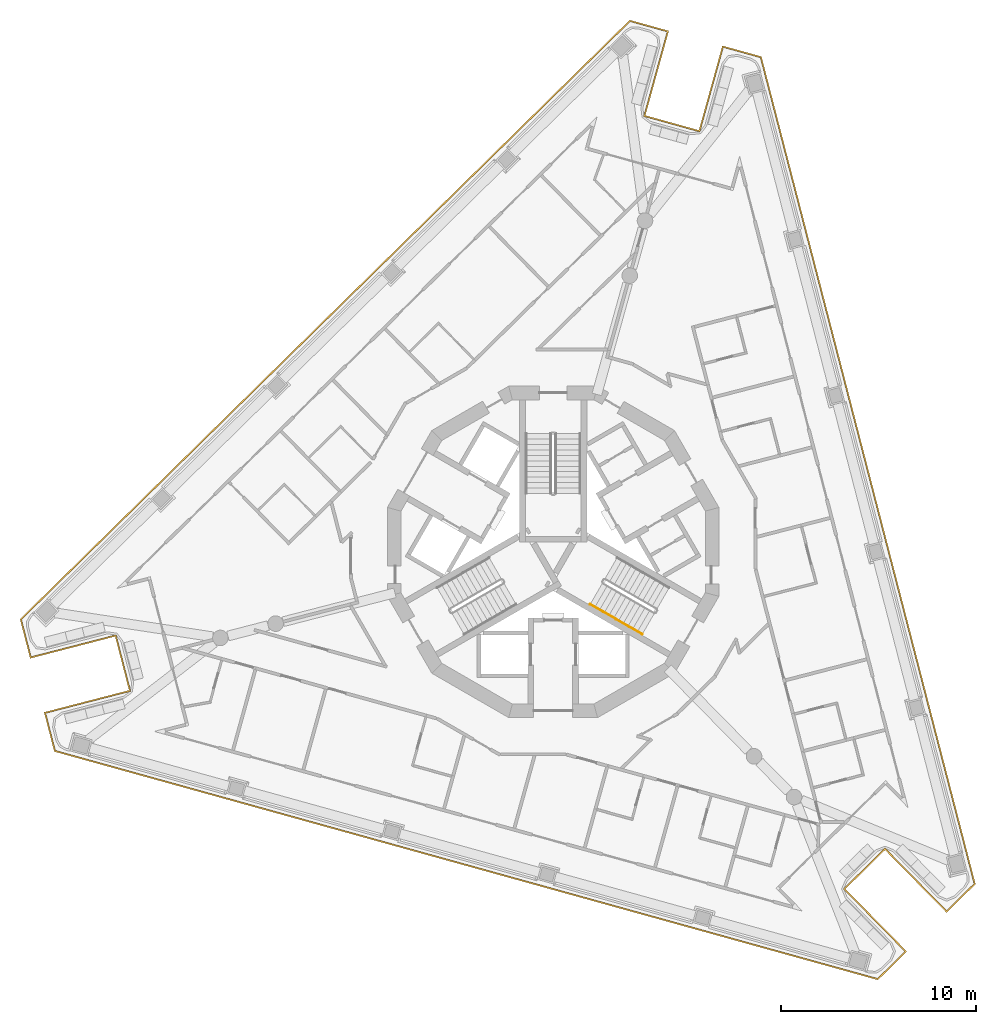
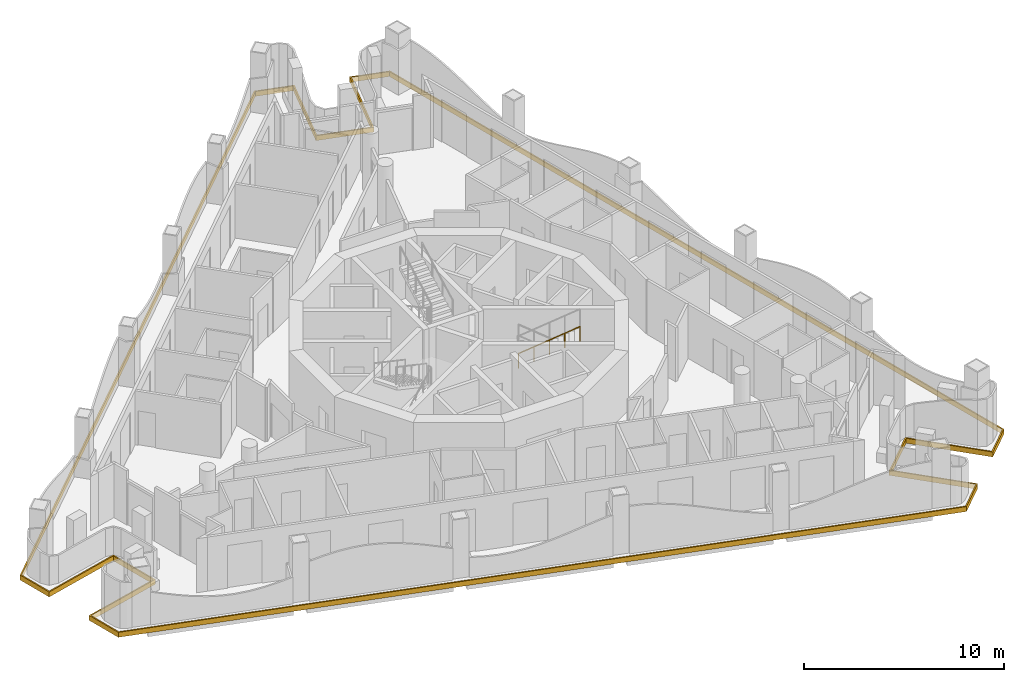
# One storey, part 11 of 14: 2 railings, 1 covering.
"""IFC4 building model written with IfcOpenShell, lengths in metres."""

import ifcopenshell
import ifcopenshell.guid

model = None  # the IFC model being written
_history = None  # IfcOwnerHistory: only IFC2X3 demands one
_inside = {}  # id of a spatial element -> (the spatial element, [elements in it])
_under = {}  # id of a project, library or spatial element -> (it, [spatial elements below it])
_declared = {}  # id of a project -> (the project, [libraries it declares])
_typed = {}  # id of a type object -> (the type object, [elements of that type])
_made_of = {}  # id of a material, layer set ... -> (it, [elements and type objects made of it])


def new_model(schema):
    """Start an empty IFC model of exactly this schema.

    Asked for "IFC4X3", IfcOpenShell would pick the latest addendum, in which some entities
    have other attributes; the version numbers below select the first issue.
    IFC2X3 requires an IfcOwnerHistory on every rooted entity: one is made here for all.
    """
    global model, _history
    if schema == "IFC4X3":
        model = ifcopenshell.file(schema_version=(4, 3, 0, 0))
    else:
        model = ifcopenshell.file(schema=schema)
    _inside.clear()
    _under.clear()
    _declared.clear()
    _typed.clear()
    _made_of.clear()
    _history = None
    if model.schema == "IFC2X3":
        org = make("IfcOrganization", Name="unknown")
        user = make(
            "IfcPersonAndOrganization",
            ThePerson=make("IfcPerson", FamilyName="unknown"),
            TheOrganization=org,
        )
        app = make(
            "IfcApplication",
            ApplicationDeveloper=org,
            Version="unknown",
            ApplicationFullName="unknown",
            ApplicationIdentifier="unknown",
        )
        _history = make(
            "IfcOwnerHistory",
            OwningUser=user,
            OwningApplication=app,
            ChangeAction="ADDED",
            CreationDate=0,
        )
    return model


def make(cls, **values):
    """One entity of the class cls with the attributes given. An attribute that is None is left unset."""
    return model.create_entity(
        cls, **{name: value for name, value in values.items() if value is not None}
    )


def rooted(cls, **values):
    """An entity with a GlobalId (a new one), such as an element, a storey or a relation."""
    return make(cls, GlobalId=ifcopenshell.guid.new(), OwnerHistory=_history, **values)


def si_unit(unit_type, name, prefix=None):
    """IfcSIUnit, for example si_unit("LENGTHUNIT", "METRE", prefix="MILLI")."""
    return make("IfcSIUnit", UnitType=unit_type, Prefix=prefix, Name=name)


def assignment(units):
    """IfcUnitAssignment: the units of a project."""
    return None if units is None else make("IfcUnitAssignment", Units=units)


def point(xyz):
    """IfcCartesianPoint."""
    return None if xyz is None else make("IfcCartesianPoint", Coordinates=xyz)


def direction(xyz):
    """IfcDirection."""
    return None if xyz is None else make("IfcDirection", DirectionRatios=xyz)


def frame(location, z_axis=None, x_axis=None):
    """IfcAxis2Placement3D, a coordinate frame: its origin and axes. An axis left out is left unset."""
    return make(
        "IfcAxis2Placement3D",
        Location=point(location),
        Axis=direction(z_axis),
        RefDirection=direction(x_axis),
    )


def frame_2d(location, x_axis=None):
    """IfcAxis2Placement2D, a coordinate frame in the plane: its origin and x axis."""
    return make(
        "IfcAxis2Placement2D", Location=point(location), RefDirection=direction(x_axis)
    )


def origin():
    """The frame at (0, 0, 0) with its axes left unset."""
    return frame((0.0, 0.0, 0.0))


def origin_2d():
    """The frame at (0, 0) in the plane with its x axis left unset."""
    return frame_2d((0.0, 0.0))


def place(relative_to, where):
    """IfcLocalPlacement: puts the frame where relative to a parent placement (None: the world)."""
    return make(
        "IfcLocalPlacement", PlacementRelTo=relative_to, RelativePlacement=where
    )


def context(
    kind, dimensions, precision=None, world=None, true_north=None, identifier=None
):
    """IfcGeometricRepresentationContext, for example the 3D "Model" context."""
    return make(
        "IfcGeometricRepresentationContext",
        ContextIdentifier=identifier,
        ContextType=kind,
        CoordinateSpaceDimension=dimensions,
        Precision=precision,
        WorldCoordinateSystem=world,
        TrueNorth=true_north,
    )


def subcontext(parent, identifier, kind, view, scale=None):
    """IfcGeometricRepresentationSubContext, for example "Body" below "Model"."""
    return make(
        "IfcGeometricRepresentationSubContext",
        ContextIdentifier=identifier,
        ContextType=kind,
        ParentContext=parent,
        TargetScale=scale,
        TargetView=view,
    )


def project(units=None, contexts=None):
    """IfcProject with its units and contexts."""
    return rooted(
        "IfcProject",
        Name="project",
        RepresentationContexts=contexts,
        UnitsInContext=assignment(units),
    )


def spatial(cls, under=None, at=None, **own):
    """A site, building, storey or space (cls), placed at a placement, below another one or the project."""
    s = rooted(cls, ObjectPlacement=at, **own)
    if under is not None:
        _under.setdefault(under.id(), (under, []))[1].append(s)
    return s


def polyline(points):
    """IfcPolyline through the points."""
    return make("IfcPolyline", Points=[point(p) for p in points])


def profile(cls, at=None, kind="AREA", **sizes):
    """A parametric profile (cls). Its sizes go by their IFC names, for example OverallWidth=200.0."""
    return make(cls, ProfileType=kind, Position=at, **sizes)


def circle(**sizes):
    """IfcCircleProfileDef."""
    return profile("IfcCircleProfileDef", **sizes)


def outline(outer, holes=None, kind="AREA"):
    """IfcArbitraryClosedProfileDef: a profile drawn as a closed curve; with holes, ...WithVoids."""
    if holes is None:
        return make("IfcArbitraryClosedProfileDef", ProfileType=kind, OuterCurve=outer)
    return make(
        "IfcArbitraryProfileDefWithVoids",
        ProfileType=kind,
        OuterCurve=outer,
        InnerCurves=holes,
    )


def extrude(swept, where, along, depth):
    """IfcExtrudedAreaSolid: the profile swept, set in the frame where, extruded along a direction by depth."""
    return make(
        "IfcExtrudedAreaSolid",
        SweptArea=swept,
        Position=where,
        ExtrudedDirection=direction(along),
        Depth=depth,
    )


def shape(context_of_items, identifier, shape_type, items):
    """IfcShapeRepresentation: the items that make up one representation, for example the "Body"."""
    return make(
        "IfcShapeRepresentation",
        ContextOfItems=context_of_items,
        RepresentationIdentifier=identifier,
        RepresentationType=shape_type,
        Items=items,
    )


def material(Name=None, Category=None):
    """IfcMaterial."""
    return make("IfcMaterial", Name=Name, Category=Category)


def layer(
    of_material, thickness, ventilated=None, Name=None, Category=None, Priority=None
):
    """IfcMaterialLayer: one layer of a wall or slab, of a material (None: an air gap)."""
    return make(
        "IfcMaterialLayer",
        Material=of_material,
        LayerThickness=thickness,
        IsVentilated=ventilated,
        Name=Name,
        Category=Category,
        Priority=Priority,
    )


def layer_set(layers, Name=None):
    """IfcMaterialLayerSet."""
    return make("IfcMaterialLayerSet", MaterialLayers=layers, LayerSetName=Name)


def made_of(thing, what):
    """Note that an element or type object is made of a material, layer set ...; save() writes the relation."""
    if what is not None:
        _made_of.setdefault(what.id(), (what, []))[1].append(thing)
    return thing


def type_object(cls, material=None, **own):
    """A type object (cls), such as IfcWallType, which elements share."""
    return made_of(rooted(cls, **own), material)


def element(
    cls,
    number,
    at=None,
    inside=None,
    cuts=None,
    type_object=None,
    material=None,
    context=None,
    identifier="Body",
    shape_type=None,
    held_by="IfcProductDefinitionShape",
    body=None,
    shapes=None,
    **own,
):
    """One element of the class cls, such as IfcWall. Its Tag is "e" and its number.

    at: its placement. inside: the storey or other place that contains it. cuts: it is an
    opening in that element (IfcRelVoidsElement). A single representation is given by context,
    identifier, shape_type and body (its items); several are given by shapes. held_by: the class
    of the entity that holds the representations. save() writes the other relations.
    """
    e = rooted(cls, Tag="e%d" % number, ObjectPlacement=at, **own)
    if body is not None:
        shapes = [shape(context, identifier, shape_type, body)]
    if shapes is not None:
        e.Representation = make(held_by, Representations=shapes)
    if inside is not None:
        _inside.setdefault(inside.id(), (inside, []))[1].append(e)
    if cuts is not None:
        rooted(
            "IfcRelVoidsElement", RelatingBuildingElement=cuts, RelatedOpeningElement=e
        )
    if type_object is not None:
        _typed.setdefault(type_object.id(), (type_object, []))[1].append(e)
    return made_of(e, material)


def aggregate(whole, parts):
    """IfcRelAggregates: a whole, such as a stair, and the parts it consists of."""
    return rooted("IfcRelAggregates", RelatingObject=whole, RelatedObjects=parts)


def save(model, path):
    """Write the relations noted so far, then the file.

    IfcRelAggregates (storeys below a building ...), IfcRelContainedInSpatialStructure (elements
    in a storey), IfcRelDefinesByType, IfcRelAssociatesMaterial and IfcRelDeclares: one each for
    every whole, place, type object, material and project.
    """
    for whole, parts in _under.values():
        aggregate(whole, parts)
    for where, things in _inside.values():
        rooted(
            "IfcRelContainedInSpatialStructure",
            RelatedElements=things,
            RelatingStructure=where,
        )
    for kind, things in _typed.values():
        rooted("IfcRelDefinesByType", RelatedObjects=things, RelatingType=kind)
    for what, things in _made_of.values():
        rooted("IfcRelAssociatesMaterial", RelatedObjects=things, RelatingMaterial=what)
    for by, libraries in _declared.values():
        rooted("IfcRelDeclares", RelatingContext=by, RelatedDefinitions=libraries)
    model.write(path)


model = new_model("IFC4")

# Units and contexts
model_context = context("Model", 3, precision=1e-05, world=origin(), true_north=direction((0.0, 1.0)))
body_context = subcontext(model_context, "Body", "Model", "MODEL_VIEW")
ifc_project = project(units=[si_unit("LENGTHUNIT", "METRE"), si_unit("AREAUNIT", "SQUARE_METRE"), si_unit("VOLUMEUNIT", "CUBIC_METRE"), si_unit("PLANEANGLEUNIT", "RADIAN"), si_unit("MASSUNIT", "GRAM", prefix="KILO")], contexts=[model_context])

# Site, building, storey
site_placement = place(None, origin())
site = spatial("IfcSite", under=ifc_project, at=site_placement, CompositionType="ELEMENT")
building_placement = place(site_placement, origin())
building = spatial("IfcBuilding", under=site, at=building_placement, Name="Trine Commons Tower", CompositionType="ELEMENT")
storey_placement = place(building_placement, frame((0.0, 0.0, 249.300048828125)))
storey = spatial("IfcBuildingStorey", under=building, at=storey_placement, Name="L65", CompositionType="ELEMENT", Elevation=249.300048828125)

# Covering
ifc_material_1 = material(Name="Limestone, honed", Category="masonry")
ifc_layer = layer(ifc_material_1, 0.074951171875)
ifc_layer_set = layer_set([ifc_layer], Name="Limestone, honed")
covering_type = type_object("IfcCoveringType", Name="Limestone spandrel panel 75", PredefinedType="CLADDING", material=ifc_layer_set)
covering_placement = place(storey_placement, frame((0.0, 0.0, -0.300048828125)))
element("IfcCovering", 1, at=covering_placement, inside=storey, type_object=covering_type, Name="Limestone spandrel panel 7-01", PredefinedType="CLADDING", context=body_context, shape_type="SweptSolid", body=[
    extrude(outline(polyline([(97.018310546875, 47.215087890625), (100.172607421875, 44.00537109375), (101.65771484375, 45.465087890625), (90.68359375, 87.899169921875), (88.677001953125, 88.45556640625), (87.474365234375, 84.119140625), (84.72802734375, 84.880859375), (85.9306640625, 89.21728515625), (83.923828125, 89.773681640625), (52.662109375, 59.052734375), (53.183349609375, 57.03662109375), (57.5400390625, 58.163330078125), (58.253662109375, 55.404052734375), (53.89697265625, 54.27734375), (54.418212890625, 52.26123046875), (96.654541015625, 40.548095703125), (98.1396484375, 42.0078125), (94.985595703125, 45.21728515625), (97.018310546875, 47.215087890625)]), holes=[polyline([(88.72900390625, 88.36328125), (90.621826171875, 87.83837890625), (101.57421875, 45.488037109375), (100.17333984375, 44.111572265625), (97.019287109375, 47.321044921875), (94.879638671875, 45.218505859375), (98.03369140625, 42.0087890625), (96.6328125, 40.632080078125), (54.47998046875, 52.322021484375), (53.98828125, 54.2236328125), (58.344970703125, 55.350341796875), (57.593994140625, 58.254638671875), (53.2373046875, 57.1279296875), (52.745361328125, 59.029541015625), (83.945556640625, 89.68994140625), (85.838134765625, 89.1650390625), (84.6357421875, 84.82861328125), (87.526611328125, 84.02685546875), (88.72900390625, 88.36328125)])]), origin(), (0.0, 0.0, 1.0), 0.300048828125),
])

# Railings
ifc_material_2 = material(Name="Stainless steel handrail", Category="steel")
railing_type = type_object("IfcRailingType", Name="Stair handrail, steel 900", PredefinedType="HANDRAIL", material=ifc_material_2)
for number, where, name in (
    (2, (81.90234375, 59.81396484375, 1.949951171875), "L65 ST3C stair handrail 3"),
    (3, (83.236083984375, 59.0439453125, 2.77490234375), "L65 ST3C stair handrail 4"),
):
    element("IfcRailing", number, at=place(storey_placement, frame(where)), inside=storey, type_object=railing_type, Name=name, PredefinedType="HANDRAIL", context=body_context, shape_type="SweptSolid", body=[
        extrude(circle(Radius=0.02099609375, at=origin_2d()), frame((0.0, 0.0, 0.87890625), z_axis=(0.76340495495, -0.440743040072, 0.472184759798), x_axis=(0.499992328818, 0.866029832698, 0.0)), (0.0, 0.0, 1.0), 1.7470703125),
        extrude(circle(Radius=0.01513671875, at=origin_2d()), origin(), (0.0, 0.0, 1.0), 0.85791015625),
        extrude(circle(Radius=0.01513671875, at=origin_2d()), frame((0.6669921875, -0.385009765625, 0.41259765625)), (0.0, 0.0, 1.0), 0.85791015625),
        extrude(circle(Radius=0.01513671875, at=origin_2d()), frame((1.333740234375, -0.77001953125, 0.824951171875)), (0.0, 0.0, 1.0), 0.85791015625),
    ])

save(model, "model.ifc")
